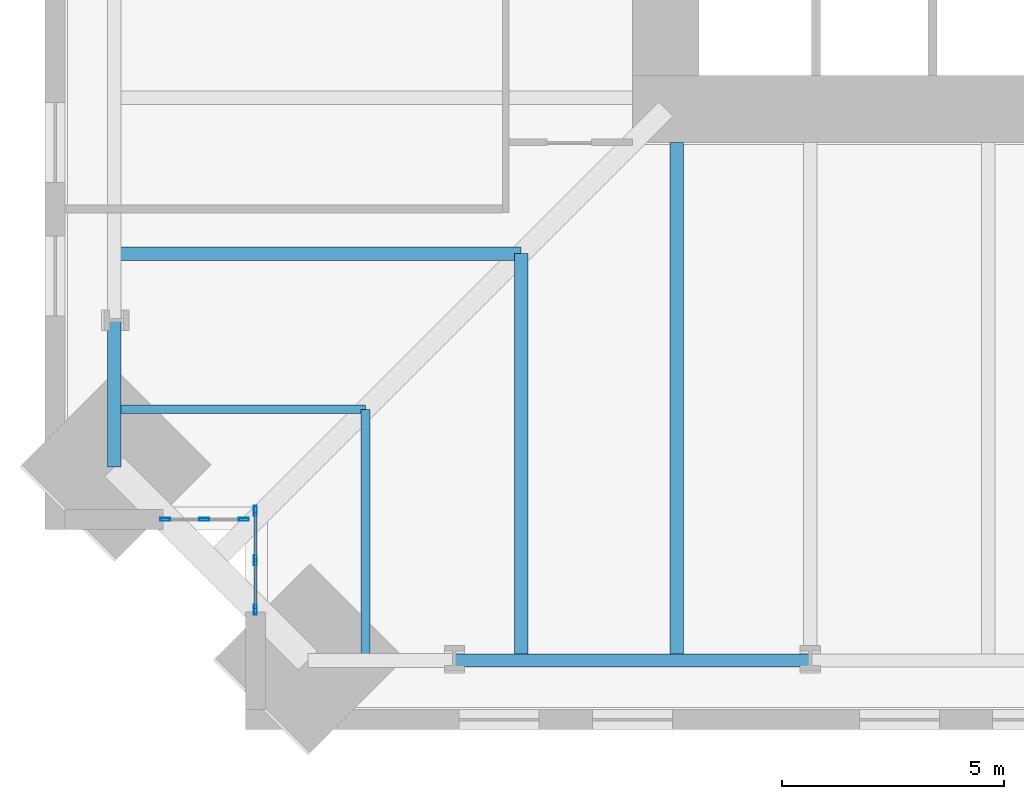
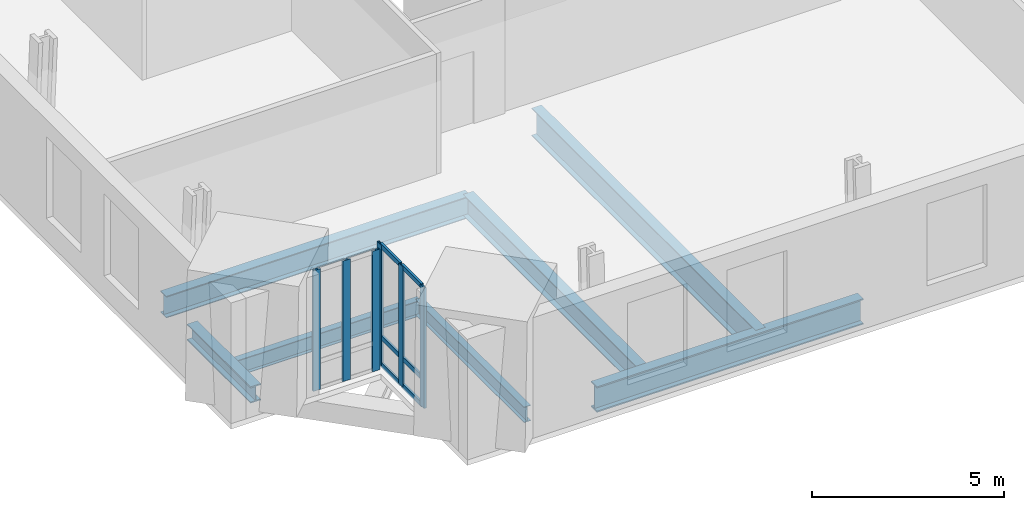
# One storey, part 2 of 15: 12 members, 7 beams, 2 elements without a shape of their own.
"""IFC4 building model written with IfcOpenShell, lengths in metres."""

import ifcopenshell
import ifcopenshell.guid

model = None  # the IFC model being written
_history = None  # IfcOwnerHistory: only IFC2X3 demands one
_inside = {}  # id of a spatial element -> (the spatial element, [elements in it])
_under = {}  # id of a project, library or spatial element -> (it, [spatial elements below it])
_declared = {}  # id of a project -> (the project, [libraries it declares])
_typed = {}  # id of a type object -> (the type object, [elements of that type])
_made_of = {}  # id of a material, layer set ... -> (it, [elements and type objects made of it])


def new_model(schema):
    """Start an empty IFC model of exactly this schema.

    Asked for "IFC4X3", IfcOpenShell would pick the latest addendum, in which some entities
    have other attributes; the version numbers below select the first issue.
    IFC2X3 requires an IfcOwnerHistory on every rooted entity: one is made here for all.
    """
    global model, _history
    if schema == "IFC4X3":
        model = ifcopenshell.file(schema_version=(4, 3, 0, 0))
    else:
        model = ifcopenshell.file(schema=schema)
    _inside.clear()
    _under.clear()
    _declared.clear()
    _typed.clear()
    _made_of.clear()
    _history = None
    if model.schema == "IFC2X3":
        org = make("IfcOrganization", Name="unknown")
        user = make(
            "IfcPersonAndOrganization",
            ThePerson=make("IfcPerson", FamilyName="unknown"),
            TheOrganization=org,
        )
        app = make(
            "IfcApplication",
            ApplicationDeveloper=org,
            Version="unknown",
            ApplicationFullName="unknown",
            ApplicationIdentifier="unknown",
        )
        _history = make(
            "IfcOwnerHistory",
            OwningUser=user,
            OwningApplication=app,
            ChangeAction="ADDED",
            CreationDate=0,
        )
    return model


def make(cls, **values):
    """One entity of the class cls with the attributes given. An attribute that is None is left unset."""
    return model.create_entity(
        cls, **{name: value for name, value in values.items() if value is not None}
    )


def rooted(cls, **values):
    """An entity with a GlobalId (a new one), such as an element, a storey or a relation."""
    return make(cls, GlobalId=ifcopenshell.guid.new(), OwnerHistory=_history, **values)


def si_unit(unit_type, name, prefix=None):
    """IfcSIUnit, for example si_unit("LENGTHUNIT", "METRE", prefix="MILLI")."""
    return make("IfcSIUnit", UnitType=unit_type, Prefix=prefix, Name=name)


def assignment(units):
    """IfcUnitAssignment: the units of a project."""
    return None if units is None else make("IfcUnitAssignment", Units=units)


def point(xyz):
    """IfcCartesianPoint."""
    return None if xyz is None else make("IfcCartesianPoint", Coordinates=xyz)


def direction(xyz):
    """IfcDirection."""
    return None if xyz is None else make("IfcDirection", DirectionRatios=xyz)


def frame(location, z_axis=None, x_axis=None):
    """IfcAxis2Placement3D, a coordinate frame: its origin and axes. An axis left out is left unset."""
    return make(
        "IfcAxis2Placement3D",
        Location=point(location),
        Axis=direction(z_axis),
        RefDirection=direction(x_axis),
    )


def frame_2d(location, x_axis=None):
    """IfcAxis2Placement2D, a coordinate frame in the plane: its origin and x axis."""
    return make(
        "IfcAxis2Placement2D", Location=point(location), RefDirection=direction(x_axis)
    )


def origin():
    """The frame at (0, 0, 0) with its axes left unset."""
    return frame((0.0, 0.0, 0.0))


def origin_2d():
    """The frame at (0, 0) in the plane with its x axis left unset."""
    return frame_2d((0.0, 0.0))


def place(relative_to, where):
    """IfcLocalPlacement: puts the frame where relative to a parent placement (None: the world)."""
    return make(
        "IfcLocalPlacement", PlacementRelTo=relative_to, RelativePlacement=where
    )


def context(
    kind, dimensions, precision=None, world=None, true_north=None, identifier=None
):
    """IfcGeometricRepresentationContext, for example the 3D "Model" context."""
    return make(
        "IfcGeometricRepresentationContext",
        ContextIdentifier=identifier,
        ContextType=kind,
        CoordinateSpaceDimension=dimensions,
        Precision=precision,
        WorldCoordinateSystem=world,
        TrueNorth=true_north,
    )


def subcontext(parent, identifier, kind, view, scale=None):
    """IfcGeometricRepresentationSubContext, for example "Body" below "Model"."""
    return make(
        "IfcGeometricRepresentationSubContext",
        ContextIdentifier=identifier,
        ContextType=kind,
        ParentContext=parent,
        TargetScale=scale,
        TargetView=view,
    )


def project(units=None, contexts=None):
    """IfcProject with its units and contexts."""
    return rooted(
        "IfcProject",
        Name="project",
        RepresentationContexts=contexts,
        UnitsInContext=assignment(units),
    )


def spatial(cls, under=None, at=None, **own):
    """A site, building, storey or space (cls), placed at a placement, below another one or the project."""
    s = rooted(cls, ObjectPlacement=at, **own)
    if under is not None:
        _under.setdefault(under.id(), (under, []))[1].append(s)
    return s


def profile(cls, at=None, kind="AREA", **sizes):
    """A parametric profile (cls). Its sizes go by their IFC names, for example OverallWidth=200.0."""
    return make(cls, ProfileType=kind, Position=at, **sizes)


def hollow_rectangle(**sizes):
    """IfcRectangleHollowProfileDef."""
    return profile("IfcRectangleHollowProfileDef", **sizes)


def i_section(**sizes):
    """IfcIShapeProfileDef."""
    return profile("IfcIShapeProfileDef", **sizes)


def extrude(swept, where, along, depth):
    """IfcExtrudedAreaSolid: the profile swept, set in the frame where, extruded along a direction by depth."""
    return make(
        "IfcExtrudedAreaSolid",
        SweptArea=swept,
        Position=where,
        ExtrudedDirection=direction(along),
        Depth=depth,
    )


def shape(context_of_items, identifier, shape_type, items):
    """IfcShapeRepresentation: the items that make up one representation, for example the "Body"."""
    return make(
        "IfcShapeRepresentation",
        ContextOfItems=context_of_items,
        RepresentationIdentifier=identifier,
        RepresentationType=shape_type,
        Items=items,
    )


def material(Name=None, Category=None):
    """IfcMaterial."""
    return make("IfcMaterial", Name=Name, Category=Category)


def material_profile(
    of_material, cross_section, Name=None, Category=None, Priority=None
):
    """IfcMaterialProfile: a cross section and its material."""
    return make(
        "IfcMaterialProfile",
        Name=Name,
        Material=of_material,
        Profile=cross_section,
        Priority=Priority,
        Category=Category,
    )


def profile_set(profiles, Name=None, composite=None):
    """IfcMaterialProfileSet."""
    return make(
        "IfcMaterialProfileSet",
        Name=Name,
        MaterialProfiles=profiles,
        CompositeProfile=composite,
    )


def made_of(thing, what):
    """Note that an element or type object is made of a material, layer set ...; save() writes the relation."""
    if what is not None:
        _made_of.setdefault(what.id(), (what, []))[1].append(thing)
    return thing


def type_object(cls, material=None, **own):
    """A type object (cls), such as IfcWallType, which elements share."""
    return made_of(rooted(cls, **own), material)


def element(
    cls,
    number,
    at=None,
    inside=None,
    cuts=None,
    type_object=None,
    material=None,
    context=None,
    identifier="Body",
    shape_type=None,
    held_by="IfcProductDefinitionShape",
    body=None,
    shapes=None,
    **own,
):
    """One element of the class cls, such as IfcWall. Its Tag is "e" and its number.

    at: its placement. inside: the storey or other place that contains it. cuts: it is an
    opening in that element (IfcRelVoidsElement). A single representation is given by context,
    identifier, shape_type and body (its items); several are given by shapes. held_by: the class
    of the entity that holds the representations. save() writes the other relations.
    """
    e = rooted(cls, Tag="e%d" % number, ObjectPlacement=at, **own)
    if body is not None:
        shapes = [shape(context, identifier, shape_type, body)]
    if shapes is not None:
        e.Representation = make(held_by, Representations=shapes)
    if inside is not None:
        _inside.setdefault(inside.id(), (inside, []))[1].append(e)
    if cuts is not None:
        rooted(
            "IfcRelVoidsElement", RelatingBuildingElement=cuts, RelatedOpeningElement=e
        )
    if type_object is not None:
        _typed.setdefault(type_object.id(), (type_object, []))[1].append(e)
    return made_of(e, material)


def aggregate(whole, parts):
    """IfcRelAggregates: a whole, such as a stair, and the parts it consists of."""
    return rooted("IfcRelAggregates", RelatingObject=whole, RelatedObjects=parts)


def save(model, path):
    """Write the relations noted so far, then the file.

    IfcRelAggregates (storeys below a building ...), IfcRelContainedInSpatialStructure (elements
    in a storey), IfcRelDefinesByType, IfcRelAssociatesMaterial and IfcRelDeclares: one each for
    every whole, place, type object, material and project.
    """
    for whole, parts in _under.values():
        aggregate(whole, parts)
    for where, things in _inside.values():
        rooted(
            "IfcRelContainedInSpatialStructure",
            RelatedElements=things,
            RelatingStructure=where,
        )
    for kind, things in _typed.values():
        rooted("IfcRelDefinesByType", RelatedObjects=things, RelatingType=kind)
    for what, things in _made_of.values():
        rooted("IfcRelAssociatesMaterial", RelatedObjects=things, RelatingMaterial=what)
    for by, libraries in _declared.values():
        rooted("IfcRelDeclares", RelatingContext=by, RelatedDefinitions=libraries)
    model.write(path)


model = new_model("IFC4")

# Units and contexts
model_context = context("Model", 3, precision=1e-05, world=origin(), true_north=direction((0.0, 1.0)))
body_context = subcontext(model_context, "Body", "Model", "MODEL_VIEW")
ifc_project = project(units=[si_unit("LENGTHUNIT", "METRE"), si_unit("AREAUNIT", "SQUARE_METRE"), si_unit("VOLUMEUNIT", "CUBIC_METRE"), si_unit("PLANEANGLEUNIT", "RADIAN"), si_unit("MASSUNIT", "GRAM", prefix="KILO")], contexts=[model_context])

# Site, building, storey
site_placement = place(None, origin())
site = spatial("IfcSite", under=ifc_project, at=site_placement, CompositionType="ELEMENT")
building_placement = place(site_placement, origin())
building = spatial("IfcBuilding", under=site, at=building_placement, Name="Peilmerk Tower", CompositionType="ELEMENT")
storey_placement = place(building_placement, frame((0.0, 0.0, 179.800048828125)))
storey = spatial("IfcBuildingStorey", under=building, at=storey_placement, Name="L38", CompositionType="ELEMENT", Elevation=179.800048828125)

# Beams
ifc_material_1 = material(Name="Steel S355", Category="steel")
ifc_material_profile_1 = material_profile(ifc_material_1, i_section(OverallWidth=0.302978515625, OverallDepth=0.81396484375, WebThickness=0.02099609375, FlangeThickness=0.0400390625, at=origin_2d()), Name="HEM 800")
ifc_profile_set_1 = profile_set([ifc_material_profile_1], Name="Steel S355")
beam_type_1 = type_object("IfcBeamType", Name="B15 HEM 800 edge beam", PredefinedType="SPANDREL", material=ifc_profile_set_1)
beam_1_placement = place(storey_placement, frame((-16.0, -23.646728515625, -0.5771484375), z_axis=(1.0, 0.0, 0.0), x_axis=(0.0, 1.0, 0.0)))
element("IfcBeam", 1, at=beam_1_placement, inside=storey, type_object=beam_type_1, Name="Edge beam L38", PredefinedType="SPANDREL", context=body_context, shape_type="SweptSolid", body=[
    extrude(i_section(OverallWidth=0.302978515625, OverallDepth=0.81396484375, WebThickness=0.02099609375, FlangeThickness=0.0400390625, at=origin_2d()), origin(), (0.0, 0.0, 1.0), 8.0),
])
ifc_material_profile_2 = material_profile(ifc_material_1, i_section(OverallWidth=0.300048828125, OverallDepth=0.68994140625, WebThickness=0.014404296875, FlangeThickness=0.027099609375, at=origin_2d()), Name="HEA 700")
ifc_profile_set_2 = profile_set([ifc_material_profile_2], Name="Steel S355")
beam_type_2 = type_object("IfcBeamType", Name="B16 HEA 700 floor beam", PredefinedType="BEAM", material=ifc_profile_set_2)
for number, where, z_axis, x_axis, name in (
    (2, (-14.5, -14.5, -0.51513671875), (0.0, -1.0, 0.0), (1.0, 0.0, 0.0), "Floor beam L38"),
    (3, (-14.5, -14.5, -0.51513671875), (-1.0, 0.0, 0.0), (0.0, -1.0, 0.0), "Floor beam L38"),
):
    element("IfcBeam", number, at=place(storey_placement, frame(where, z_axis=z_axis, x_axis=x_axis)), inside=storey, type_object=beam_type_2, Name=name, PredefinedType="BEAM", context=body_context, shape_type="SweptSolid", body=[
        extrude(i_section(OverallWidth=0.300048828125, OverallDepth=0.68994140625, WebThickness=0.014404296875, FlangeThickness=0.027099609375, at=origin_2d()), origin(), (0.0, 0.0, 1.0), 9.146728515625),
    ])
ifc_material_profile_3 = material_profile(ifc_material_1, i_section(OverallWidth=0.199951171875, OverallDepth=0.5, WebThickness=0.01025390625, FlangeThickness=0.01611328125, at=origin_2d()), Name="IPE 500")
ifc_profile_set_3 = profile_set([ifc_material_profile_3], Name="Steel S355")
beam_type_3 = type_object("IfcBeamType", Name="B32 IPE 500 floor beam", PredefinedType="BEAM", material=ifc_profile_set_3)
for number, where, z_axis, x_axis, name in (
    (4, (-18.0, -18.0, -0.420166015625), (0.0, -1.0, 0.0), (1.0, 0.0, 0.0), "Floor beam L38"),
    (5, (-18.0, -18.0, -0.420166015625), (-1.0, 0.0, 0.0), (0.0, -1.0, 0.0), "Floor beam L38"),
):
    element("IfcBeam", number, at=place(storey_placement, frame(where, z_axis=z_axis, x_axis=x_axis)), inside=storey, type_object=beam_type_3, Name=name, PredefinedType="BEAM", context=body_context, shape_type="SweptSolid", body=[
        extrude(i_section(OverallWidth=0.199951171875, OverallDepth=0.5, WebThickness=0.01025390625, FlangeThickness=0.01611328125, at=origin_2d()), origin(), (0.0, 0.0, 1.0), 5.646728515625),
    ])
ifc_material_profile_4 = material_profile(ifc_material_1, i_section(OverallWidth=0.305908203125, OverallDepth=0.52392578125, WebThickness=0.02099609375, FlangeThickness=0.0400390625, at=origin_2d()), Name="HEM 500")
ifc_profile_set_4 = profile_set([ifc_material_profile_4], Name="Steel S355")
beam_type_4 = type_object("IfcBeamType", Name="B33 HEM 500 edge beam", PredefinedType="SPANDREL", material=ifc_profile_set_4)
beam_2_placement = place(storey_placement, frame((-23.646728515625, -16.0, -0.43212890625), z_axis=(0.0, -1.0, 0.0), x_axis=(1.0, 0.0, 0.0)))
element("IfcBeam", 6, at=beam_2_placement, inside=storey, type_object=beam_type_4, Name="Edge beam L38", PredefinedType="SPANDREL", context=body_context, shape_type="SweptSolid", body=[
    extrude(i_section(OverallWidth=0.305908203125, OverallDepth=0.52392578125, WebThickness=0.02099609375, FlangeThickness=0.0400390625, at=origin_2d()), origin(), (0.0, 0.0, 1.0), 3.296875),
])
ifc_material_profile_5 = material_profile(ifc_material_1, i_section(OverallWidth=0.300048828125, OverallDepth=0.889892578125, WebThickness=0.01611328125, FlangeThickness=0.030029296875, at=origin_2d()), Name="HEA 900")
ifc_profile_set_5 = profile_set([ifc_material_profile_5], Name="Steel S355")
beam_type_5 = type_object("IfcBeamType", Name="B4 HEA 900 floor beam", PredefinedType="BEAM", material=ifc_profile_set_5)
beam_3_placement = place(storey_placement, frame((-11.0, -12.0, -0.614990234375), z_axis=(0.0, -1.0, 0.0), x_axis=(1.0, 0.0, 0.0)))
element("IfcBeam", 7, at=beam_3_placement, inside=storey, type_object=beam_type_5, Name="Floor beam L38", PredefinedType="BEAM", context=body_context, shape_type="SweptSolid", body=[
    extrude(i_section(OverallWidth=0.300048828125, OverallDepth=0.889892578125, WebThickness=0.01611328125, FlangeThickness=0.030029296875, at=origin_2d()), origin(), (0.0, 0.0, 1.0), 11.646728515625),
])

# Curtain wall, members
ifc_material_2 = material(Name="Aluminium stick curtain wall", Category="aluminium")
curtain_wall_type = type_object("IfcCurtainWallType", Name="CW3 stick curtain wall, 2250 module", PredefinedType="NOTDEFINED", material=ifc_material_2)
curtain_wall_1_placement = place(storey_placement, origin())
curtain_wall_1 = element("IfcCurtainWall", 8, at=curtain_wall_1_placement, inside=storey, type_object=curtain_wall_type, Name="Curtain wall CW3 SWA L38", PredefinedType="NOTDEFINED")
ifc_material_3 = material(Name="Aluminium EN AW-6063 T6", Category="aluminium")
ifc_material_profile_6 = material_profile(ifc_material_3, hollow_rectangle(XDim=0.06494140625, YDim=0.22509765625, WallThickness=0.00390625, at=origin_2d()), Name="AL 225x65x4")
ifc_profile_set_6 = profile_set([ifc_material_profile_6], Name="Aluminium EN AW-6063 T6")
member_type_1 = type_object("IfcMemberType", Name="CW3-M AL 225x65x4 mullion", PredefinedType="MULLION", material=ifc_profile_set_6)
member_1_placement = place(storey_placement, frame((-20.47509765625, -20.282470703125, 0.0), z_axis=(0.0, 0.0, 1.0), x_axis=(1.0, 0.0, 0.0)))
member_1 = element("IfcMember", 9, at=member_1_placement, type_object=member_type_1, Name="CW3 mullion 1", PredefinedType="MULLION", context=body_context, shape_type="SweptSolid", body=[
    extrude(hollow_rectangle(XDim=0.06494140625, YDim=0.22509765625, WallThickness=0.00390625, at=origin_2d()), origin(), (0.0, 0.0, 1.0), 3.829833984375),
])
member_2_placement = place(storey_placement, frame((-20.47509765625, -21.394287109375, 0.0), z_axis=(0.0, 0.0, 1.0), x_axis=(1.0, 0.0, 0.0)))
member_2 = element("IfcMember", 10, at=member_2_placement, type_object=member_type_1, Name="CW3 mullion 2", PredefinedType="MULLION", context=body_context, shape_type="SweptSolid", body=[
    extrude(hollow_rectangle(XDim=0.06494140625, YDim=0.22509765625, WallThickness=0.00390625, at=origin_2d()), origin(), (0.0, 0.0, 1.0), 3.829833984375),
])
member_3_placement = place(storey_placement, frame((-20.47509765625, -22.506103515625, 0.0), z_axis=(0.0, 0.0, 1.0), x_axis=(1.0, 0.0, 0.0)))
member_3 = element("IfcMember", 11, at=member_3_placement, type_object=member_type_1, Name="CW3 mullion 3", PredefinedType="MULLION", context=body_context, shape_type="SweptSolid", body=[
    extrude(hollow_rectangle(XDim=0.06494140625, YDim=0.22509765625, WallThickness=0.00390625, at=origin_2d()), origin(), (0.0, 0.0, 1.0), 3.829833984375),
])

curtain_wall_2_placement = place(storey_placement, origin())
curtain_wall_2 = element("IfcCurtainWall", 12, at=curtain_wall_2_placement, inside=storey, type_object=curtain_wall_type, Name="Curtain wall CW3 SWB L38", PredefinedType="NOTDEFINED")
member_4_placement = place(storey_placement, frame((-20.732421875, -20.47509765625, 0.0), z_axis=(0.0, 0.0, 1.0), x_axis=(0.0, -1.0, 0.0)))
member_4 = element("IfcMember", 13, at=member_4_placement, type_object=member_type_1, Name="CW3 mullion 1", PredefinedType="MULLION", context=body_context, shape_type="SweptSolid", body=[
    extrude(hollow_rectangle(XDim=0.06494140625, YDim=0.22509765625, WallThickness=0.00390625, at=origin_2d()), origin(), (0.0, 0.0, 1.0), 3.829833984375),
])
member_5_placement = place(storey_placement, frame((-21.619384765625, -20.47509765625, 0.0), z_axis=(0.0, 0.0, 1.0), x_axis=(0.0, -1.0, 0.0)))
member_5 = element("IfcMember", 14, at=member_5_placement, type_object=member_type_1, Name="CW3 mullion 2", PredefinedType="MULLION", context=body_context, shape_type="SweptSolid", body=[
    extrude(hollow_rectangle(XDim=0.06494140625, YDim=0.22509765625, WallThickness=0.00390625, at=origin_2d()), origin(), (0.0, 0.0, 1.0), 3.829833984375),
])
member_6_placement = place(storey_placement, frame((-22.506103515625, -20.47509765625, 0.0), z_axis=(0.0, 0.0, 1.0), x_axis=(0.0, -1.0, 0.0)))
member_6 = element("IfcMember", 15, at=member_6_placement, type_object=member_type_1, Name="CW3 mullion 3", PredefinedType="MULLION", context=body_context, shape_type="SweptSolid", body=[
    extrude(hollow_rectangle(XDim=0.06494140625, YDim=0.22509765625, WallThickness=0.00390625, at=origin_2d()), origin(), (0.0, 0.0, 1.0), 3.829833984375),
])
aggregate(curtain_wall_2, [member_4, member_5, member_6])

# Member
ifc_material_profile_7 = material_profile(ifc_material_3, hollow_rectangle(XDim=0.06494140625, YDim=0.14990234375, WallThickness=0.0029296875, at=origin_2d()), Name="AL 150x65x3")
ifc_profile_set_7 = profile_set([ifc_material_profile_7], Name="Aluminium EN AW-6063 T6")
member_type_2 = type_object("IfcMemberType", Name="CW3-T AL 150x65x3 transom", PredefinedType="USERDEFINED", material=ifc_profile_set_7)
member_7_placement = place(storey_placement, frame((-20.47509765625, -20.31494140625, 0.032470703125), z_axis=(0.0, -1.0, 0.0), x_axis=(1.0, 0.0, 0.0)))
member_7 = element("IfcMember", 16, at=member_7_placement, type_object=member_type_2, Name="CW3 transom 1.1", ObjectType="TRANSOM", PredefinedType="USERDEFINED", context=body_context, shape_type="SweptSolid", body=[
    extrude(hollow_rectangle(XDim=0.06494140625, YDim=0.14990234375, WallThickness=0.0029296875, at=origin_2d()), origin(), (0.0, 0.0, 1.0), 1.046875),
])

member_8_placement = place(storey_placement, frame((-20.47509765625, -20.31494140625, 0.89990234375), z_axis=(0.0, -1.0, 0.0), x_axis=(1.0, 0.0, 0.0)))
member_8 = element("IfcMember", 17, at=member_8_placement, type_object=member_type_2, Name="CW3 transom 1.2", ObjectType="TRANSOM", PredefinedType="USERDEFINED", context=body_context, shape_type="SweptSolid", body=[
    extrude(hollow_rectangle(XDim=0.06494140625, YDim=0.14990234375, WallThickness=0.0029296875, at=origin_2d()), origin(), (0.0, 0.0, 1.0), 1.046875),
])

member_9_placement = place(storey_placement, frame((-20.47509765625, -20.31494140625, 3.79736328125), z_axis=(0.0, -1.0, 0.0), x_axis=(1.0, 0.0, 0.0)))
member_9 = element("IfcMember", 18, at=member_9_placement, type_object=member_type_2, Name="CW3 transom 1.3", ObjectType="TRANSOM", PredefinedType="USERDEFINED", context=body_context, shape_type="SweptSolid", body=[
    extrude(hollow_rectangle(XDim=0.06494140625, YDim=0.14990234375, WallThickness=0.0029296875, at=origin_2d()), origin(), (0.0, 0.0, 1.0), 1.046875),
])

member_10_placement = place(storey_placement, frame((-20.47509765625, -21.4267578125, 0.032470703125), z_axis=(0.0, -1.0, 0.0), x_axis=(1.0, 0.0, 0.0)))
member_10 = element("IfcMember", 19, at=member_10_placement, type_object=member_type_2, Name="CW3 transom 2.1", ObjectType="TRANSOM", PredefinedType="USERDEFINED", context=body_context, shape_type="SweptSolid", body=[
    extrude(hollow_rectangle(XDim=0.06494140625, YDim=0.14990234375, WallThickness=0.0029296875, at=origin_2d()), origin(), (0.0, 0.0, 1.0), 1.046875),
])

member_11_placement = place(storey_placement, frame((-20.47509765625, -21.4267578125, 0.89990234375), z_axis=(0.0, -1.0, 0.0), x_axis=(1.0, 0.0, 0.0)))
member_11 = element("IfcMember", 20, at=member_11_placement, type_object=member_type_2, Name="CW3 transom 2.2", ObjectType="TRANSOM", PredefinedType="USERDEFINED", context=body_context, shape_type="SweptSolid", body=[
    extrude(hollow_rectangle(XDim=0.06494140625, YDim=0.14990234375, WallThickness=0.0029296875, at=origin_2d()), origin(), (0.0, 0.0, 1.0), 1.046875),
])

member_12_placement = place(storey_placement, frame((-20.47509765625, -21.4267578125, 3.79736328125), z_axis=(0.0, -1.0, 0.0), x_axis=(1.0, 0.0, 0.0)))
member_12 = element("IfcMember", 21, at=member_12_placement, type_object=member_type_2, Name="CW3 transom 2.3", ObjectType="TRANSOM", PredefinedType="USERDEFINED", context=body_context, shape_type="SweptSolid", body=[
    extrude(hollow_rectangle(XDim=0.06494140625, YDim=0.14990234375, WallThickness=0.0029296875, at=origin_2d()), origin(), (0.0, 0.0, 1.0), 1.046875),
])

aggregate(curtain_wall_1, [member_1, member_2, member_3, member_7, member_8, member_9, member_10, member_11, member_12])

save(model, "model.ifc")
